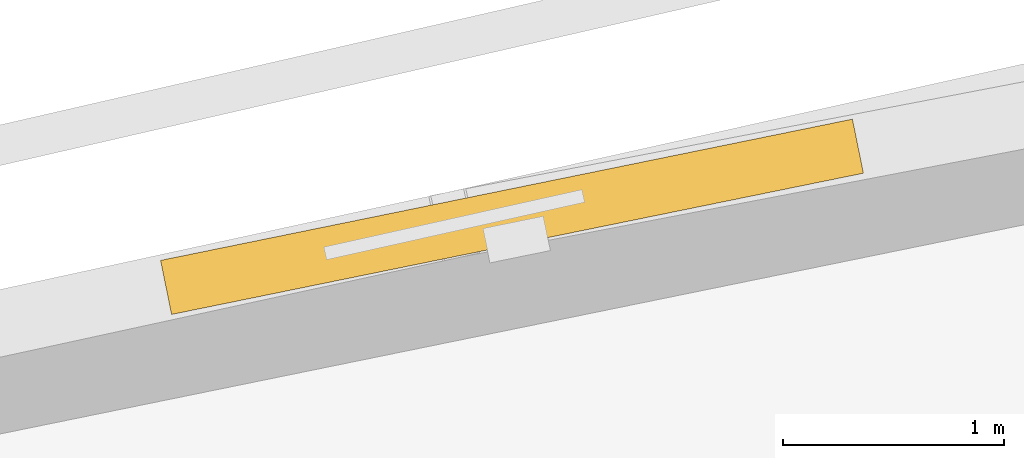
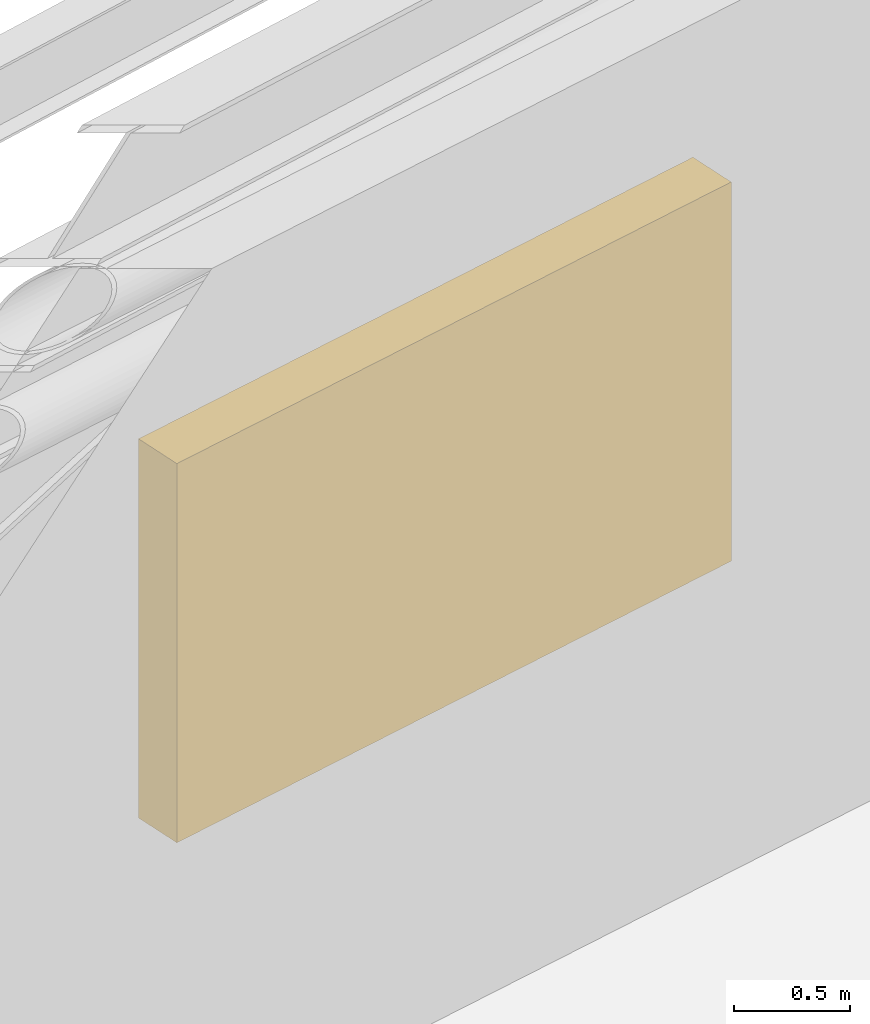
# One storey, part 14 of 15: 1 shading device.
"""IFC4 building model written with IfcOpenShell, lengths in metres."""

import ifcopenshell
import ifcopenshell.guid

model = None  # the IFC model being written
_history = None  # IfcOwnerHistory: only IFC2X3 demands one
_inside = {}  # id of a spatial element -> (the spatial element, [elements in it])
_under = {}  # id of a project, library or spatial element -> (it, [spatial elements below it])
_declared = {}  # id of a project -> (the project, [libraries it declares])
_typed = {}  # id of a type object -> (the type object, [elements of that type])
_made_of = {}  # id of a material, layer set ... -> (it, [elements and type objects made of it])


def new_model(schema):
    """Start an empty IFC model of exactly this schema.

    Asked for "IFC4X3", IfcOpenShell would pick the latest addendum, in which some entities
    have other attributes; the version numbers below select the first issue.
    IFC2X3 requires an IfcOwnerHistory on every rooted entity: one is made here for all.
    """
    global model, _history
    if schema == "IFC4X3":
        model = ifcopenshell.file(schema_version=(4, 3, 0, 0))
    else:
        model = ifcopenshell.file(schema=schema)
    _inside.clear()
    _under.clear()
    _declared.clear()
    _typed.clear()
    _made_of.clear()
    _history = None
    if model.schema == "IFC2X3":
        org = make("IfcOrganization", Name="unknown")
        user = make(
            "IfcPersonAndOrganization",
            ThePerson=make("IfcPerson", FamilyName="unknown"),
            TheOrganization=org,
        )
        app = make(
            "IfcApplication",
            ApplicationDeveloper=org,
            Version="unknown",
            ApplicationFullName="unknown",
            ApplicationIdentifier="unknown",
        )
        _history = make(
            "IfcOwnerHistory",
            OwningUser=user,
            OwningApplication=app,
            ChangeAction="ADDED",
            CreationDate=0,
        )
    return model


def make(cls, **values):
    """One entity of the class cls with the attributes given. An attribute that is None is left unset."""
    return model.create_entity(
        cls, **{name: value for name, value in values.items() if value is not None}
    )


def rooted(cls, **values):
    """An entity with a GlobalId (a new one), such as an element, a storey or a relation."""
    return make(cls, GlobalId=ifcopenshell.guid.new(), OwnerHistory=_history, **values)


def si_unit(unit_type, name, prefix=None):
    """IfcSIUnit, for example si_unit("LENGTHUNIT", "METRE", prefix="MILLI")."""
    return make("IfcSIUnit", UnitType=unit_type, Prefix=prefix, Name=name)


def assignment(units):
    """IfcUnitAssignment: the units of a project."""
    return None if units is None else make("IfcUnitAssignment", Units=units)


def point(xyz):
    """IfcCartesianPoint."""
    return None if xyz is None else make("IfcCartesianPoint", Coordinates=xyz)


def direction(xyz):
    """IfcDirection."""
    return None if xyz is None else make("IfcDirection", DirectionRatios=xyz)


def frame(location, z_axis=None, x_axis=None):
    """IfcAxis2Placement3D, a coordinate frame: its origin and axes. An axis left out is left unset."""
    return make(
        "IfcAxis2Placement3D",
        Location=point(location),
        Axis=direction(z_axis),
        RefDirection=direction(x_axis),
    )


def frame_2d(location, x_axis=None):
    """IfcAxis2Placement2D, a coordinate frame in the plane: its origin and x axis."""
    return make(
        "IfcAxis2Placement2D", Location=point(location), RefDirection=direction(x_axis)
    )


def origin():
    """The frame at (0, 0, 0) with its axes left unset."""
    return frame((0.0, 0.0, 0.0))


def origin_2d():
    """The frame at (0, 0) in the plane with its x axis left unset."""
    return frame_2d((0.0, 0.0))


def place(relative_to, where):
    """IfcLocalPlacement: puts the frame where relative to a parent placement (None: the world)."""
    return make(
        "IfcLocalPlacement", PlacementRelTo=relative_to, RelativePlacement=where
    )


def context(
    kind, dimensions, precision=None, world=None, true_north=None, identifier=None
):
    """IfcGeometricRepresentationContext, for example the 3D "Model" context."""
    return make(
        "IfcGeometricRepresentationContext",
        ContextIdentifier=identifier,
        ContextType=kind,
        CoordinateSpaceDimension=dimensions,
        Precision=precision,
        WorldCoordinateSystem=world,
        TrueNorth=true_north,
    )


def subcontext(parent, identifier, kind, view, scale=None):
    """IfcGeometricRepresentationSubContext, for example "Body" below "Model"."""
    return make(
        "IfcGeometricRepresentationSubContext",
        ContextIdentifier=identifier,
        ContextType=kind,
        ParentContext=parent,
        TargetScale=scale,
        TargetView=view,
    )


def project(units=None, contexts=None):
    """IfcProject with its units and contexts."""
    return rooted(
        "IfcProject",
        Name="project",
        RepresentationContexts=contexts,
        UnitsInContext=assignment(units),
    )


def spatial(cls, under=None, at=None, **own):
    """A site, building, storey or space (cls), placed at a placement, below another one or the project."""
    s = rooted(cls, ObjectPlacement=at, **own)
    if under is not None:
        _under.setdefault(under.id(), (under, []))[1].append(s)
    return s


def profile(cls, at=None, kind="AREA", **sizes):
    """A parametric profile (cls). Its sizes go by their IFC names, for example OverallWidth=200.0."""
    return make(cls, ProfileType=kind, Position=at, **sizes)


def rectangle(**sizes):
    """IfcRectangleProfileDef."""
    return profile("IfcRectangleProfileDef", **sizes)


def extrude(swept, where, along, depth):
    """IfcExtrudedAreaSolid: the profile swept, set in the frame where, extruded along a direction by depth."""
    return make(
        "IfcExtrudedAreaSolid",
        SweptArea=swept,
        Position=where,
        ExtrudedDirection=direction(along),
        Depth=depth,
    )


def shape(context_of_items, identifier, shape_type, items):
    """IfcShapeRepresentation: the items that make up one representation, for example the "Body"."""
    return make(
        "IfcShapeRepresentation",
        ContextOfItems=context_of_items,
        RepresentationIdentifier=identifier,
        RepresentationType=shape_type,
        Items=items,
    )


def source(mapping_origin, context_of_items, identifier, shape_type, items):
    """IfcRepresentationMap: a shape defined once, which mapped items show again and again."""
    return make(
        "IfcRepresentationMap",
        MappingOrigin=mapping_origin,
        MappedRepresentation=shape(context_of_items, identifier, shape_type, items),
    )


def transform(
    local_origin,
    x_axis=None,
    y_axis=None,
    z_axis=None,
    scale=None,
    scale2=None,
    scale3=None,
    uniform=True,
):
    """IfcCartesianTransformationOperator3D, or its non-uniform kind. x_axis, y_axis, z_axis: its Axis1, 2, 3."""
    if uniform:
        return make(
            "IfcCartesianTransformationOperator3D",
            Axis1=direction(x_axis),
            Axis2=direction(y_axis),
            LocalOrigin=point(local_origin),
            Scale=scale,
            Axis3=direction(z_axis),
        )
    return make(
        "IfcCartesianTransformationOperator3DnonUniform",
        Axis1=direction(x_axis),
        Axis2=direction(y_axis),
        LocalOrigin=point(local_origin),
        Scale=scale,
        Axis3=direction(z_axis),
        Scale2=scale2,
        Scale3=scale3,
    )


def mapped(mapping_source, mapping_target):
    """IfcMappedItem: shows the shape of a source again, moved by a transform."""
    return make(
        "IfcMappedItem", MappingSource=mapping_source, MappingTarget=mapping_target
    )


def material(Name=None, Category=None):
    """IfcMaterial."""
    return make("IfcMaterial", Name=Name, Category=Category)


def made_of(thing, what):
    """Note that an element or type object is made of a material, layer set ...; save() writes the relation."""
    if what is not None:
        _made_of.setdefault(what.id(), (what, []))[1].append(thing)
    return thing


def type_object(cls, material=None, **own):
    """A type object (cls), such as IfcWallType, which elements share."""
    return made_of(rooted(cls, **own), material)


def element(
    cls,
    number,
    at=None,
    inside=None,
    cuts=None,
    type_object=None,
    material=None,
    context=None,
    identifier="Body",
    shape_type=None,
    held_by="IfcProductDefinitionShape",
    body=None,
    shapes=None,
    **own,
):
    """One element of the class cls, such as IfcWall. Its Tag is "e" and its number.

    at: its placement. inside: the storey or other place that contains it. cuts: it is an
    opening in that element (IfcRelVoidsElement). A single representation is given by context,
    identifier, shape_type and body (its items); several are given by shapes. held_by: the class
    of the entity that holds the representations. save() writes the other relations.
    """
    e = rooted(cls, Tag="e%d" % number, ObjectPlacement=at, **own)
    if body is not None:
        shapes = [shape(context, identifier, shape_type, body)]
    if shapes is not None:
        e.Representation = make(held_by, Representations=shapes)
    if inside is not None:
        _inside.setdefault(inside.id(), (inside, []))[1].append(e)
    if cuts is not None:
        rooted(
            "IfcRelVoidsElement", RelatingBuildingElement=cuts, RelatedOpeningElement=e
        )
    if type_object is not None:
        _typed.setdefault(type_object.id(), (type_object, []))[1].append(e)
    return made_of(e, material)


def aggregate(whole, parts):
    """IfcRelAggregates: a whole, such as a stair, and the parts it consists of."""
    return rooted("IfcRelAggregates", RelatingObject=whole, RelatedObjects=parts)


def save(model, path):
    """Write the relations noted so far, then the file.

    IfcRelAggregates (storeys below a building ...), IfcRelContainedInSpatialStructure (elements
    in a storey), IfcRelDefinesByType, IfcRelAssociatesMaterial and IfcRelDeclares: one each for
    every whole, place, type object, material and project.
    """
    for whole, parts in _under.values():
        aggregate(whole, parts)
    for where, things in _inside.values():
        rooted(
            "IfcRelContainedInSpatialStructure",
            RelatedElements=things,
            RelatingStructure=where,
        )
    for kind, things in _typed.values():
        rooted("IfcRelDefinesByType", RelatedObjects=things, RelatingType=kind)
    for what, things in _made_of.values():
        rooted("IfcRelAssociatesMaterial", RelatedObjects=things, RelatingMaterial=what)
    for by, libraries in _declared.values():
        rooted("IfcRelDeclares", RelatingContext=by, RelatedDefinitions=libraries)
    model.write(path)


model = new_model("IFC4")

# Units and contexts
model_context = context("Model", 3, precision=1e-05, world=origin(), true_north=direction((0.0, 1.0)))
body_context = subcontext(model_context, "Body", "Model", "MODEL_VIEW")
ifc_project = project(units=[si_unit("LENGTHUNIT", "METRE"), si_unit("AREAUNIT", "SQUARE_METRE"), si_unit("VOLUMEUNIT", "CUBIC_METRE"), si_unit("PLANEANGLEUNIT", "RADIAN"), si_unit("MASSUNIT", "GRAM", prefix="KILO")], contexts=[model_context])

# Site, building, storey
site_placement = place(None, origin())
site = spatial("IfcSite", under=ifc_project, at=site_placement, CompositionType="ELEMENT")
building_placement = place(site_placement, origin())
building = spatial("IfcBuilding", under=site, at=building_placement, Name="Olszyna Solenne Hotel", CompositionType="ELEMENT")
storey_placement = place(building_placement, frame((0.0, 0.0, 204.300048828125)))
storey = spatial("IfcBuildingStorey", under=building, at=storey_placement, Name="L54", CompositionType="ELEMENT", Elevation=204.300048828125)

# Shading device
ifc_material = material(Name="Terracotta cladding", Category="masonry")
shading_device_type = type_object("IfcShadingDeviceType", Name="SH-LV1", PredefinedType="JALOUSIE", material=ifc_material)
shared_shape = source(origin(), body_context, "Body", "SweptSolid", [
    extrude(rectangle(XDim=3.199951171875, YDim=0.25, at=origin_2d()), origin(), (0.0, 0.0, 1.0), 2.0),
])
shading_device_placement = place(storey_placement, frame((47.431884765625, 44.8369140625, 1.285888671875), z_axis=(0.0, 0.0, 1.0), x_axis=(0.979785280755, 0.200052002278, 0.0)))
element("IfcShadingDevice", 1, at=shading_device_placement, inside=storey, type_object=shading_device_type, Name="Terracotta acoustic plant louvre bank LV-L54-07", PredefinedType="JALOUSIE", context=body_context, shape_type="MappedRepresentation", body=[
    mapped(shared_shape, transform((0.0, 0.0, 0.0), x_axis=(1.0, 0.0, 0.0), y_axis=(0.0, 1.0, 0.0), z_axis=(0.0, 0.0, 1.0), scale=1.0)),
])

save(model, "model.ifc")
